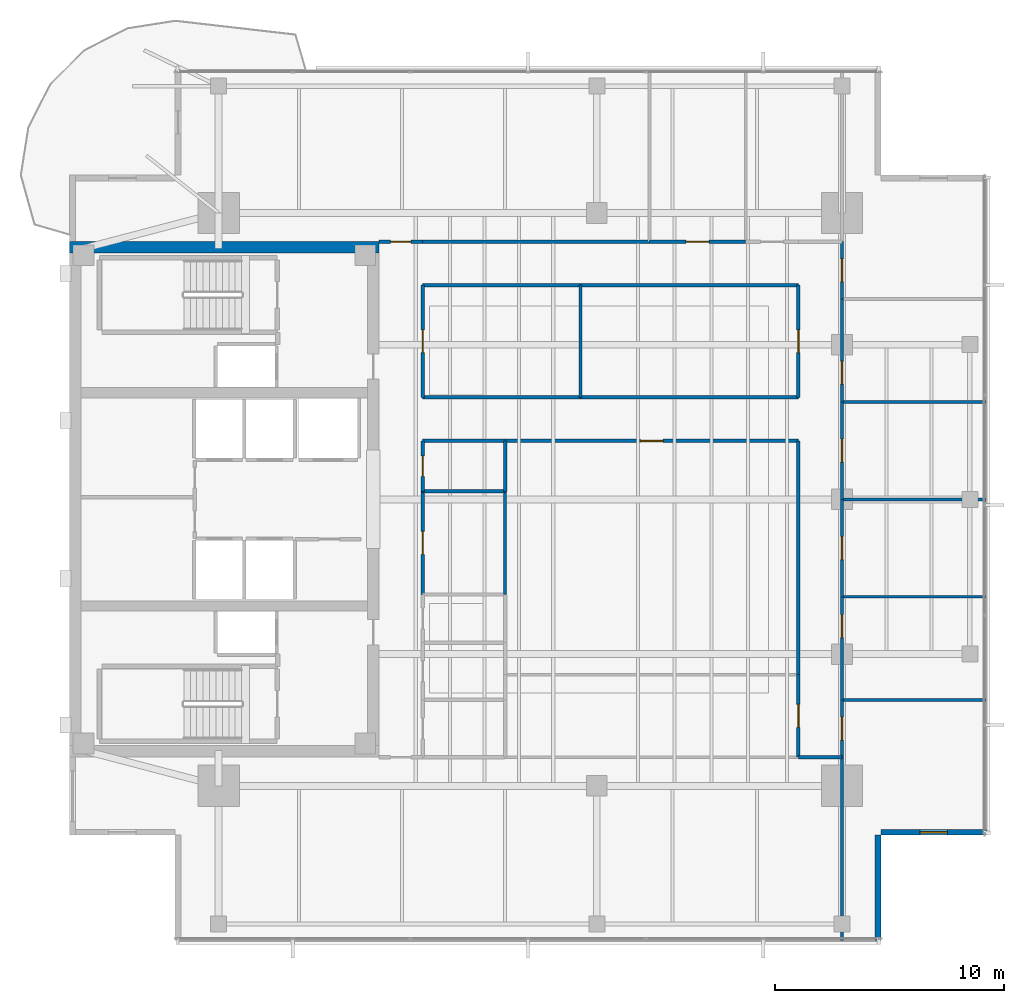
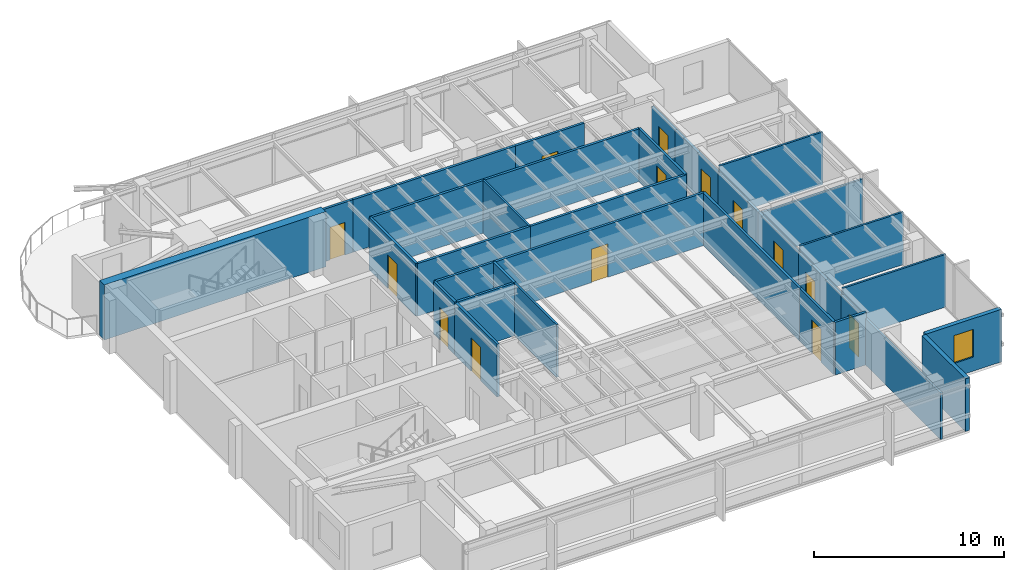
# One storey, part 9 of 14: 34 walls, 14 doors, 1 window, 15 openings.
"""IFC4 building model written with IfcOpenShell, lengths in metres."""

from ifc_helpers import new_model, si_unit, direction, frame, frame_2d, origin, place, context, subcontext, project, spatial, rectangle, extrude, material, layer, layer_set, type_object, element, fill, save


model = new_model("IFC4")

# Units and contexts
model_context = context("Model", 3, precision=1e-05, world=origin(), true_north=direction((0.0, 1.0)))
body_context = subcontext(model_context, "Body", "Model", "MODEL_VIEW")
ifc_project = project(units=[si_unit("LENGTHUNIT", "METRE"), si_unit("AREAUNIT", "SQUARE_METRE"), si_unit("VOLUMEUNIT", "CUBIC_METRE"), si_unit("PLANEANGLEUNIT", "RADIAN"), si_unit("MASSUNIT", "GRAM", prefix="KILO")], contexts=[model_context])

# Site, building, storey
site_placement = place(None, origin())
site = spatial("IfcSite", under=ifc_project, at=site_placement, CompositionType="ELEMENT")
building_placement = place(site_placement, origin())
building = spatial("IfcBuilding", under=site, at=building_placement, Name="Kinhvarn Gate Tower", CompositionType="ELEMENT")
storey_placement = place(building_placement, frame((0.0, 0.0, 284.75)))
storey = spatial("IfcBuildingStorey", under=building, at=storey_placement, Name="L76", CompositionType="ELEMENT", Elevation=284.75)

# Walls
ifc_material_1 = material(Name="Concrete C50/60", Category="concrete")
ifc_layer_1 = layer(ifc_material_1, 0.5)
ifc_layer_set_1 = layer_set([ifc_layer_1], Name="Concrete C50/60")
wall_type_1 = type_object("IfcWallType", Name="WL-CORE-500", PredefinedType="SHEAR", material=ifc_layer_set_1)
wall_1_placement = place(storey_placement, frame((4.5, 36.25, 0.0), z_axis=(0.0, 0.0, 1.0), x_axis=(1.0, 0.0, 0.0)))
element("IfcWall", 1, at=wall_1_placement, inside=storey, type_object=wall_type_1, Name="Core North Shear Wall L76 500 mm", PredefinedType="SHEAR", context=body_context, shape_type="SweptSolid", body=[
    extrude(rectangle(XDim=13.5, YDim=0.5, at=frame_2d((6.75, 0.0))), origin(), (0.0, 0.0, 1.0), 3.550048828125),
])
ifc_material_2 = material(Name="Fired architectural terracotta", Category="masonry")
ifc_layer_2 = layer(ifc_material_2, 0.25)
ifc_layer_set_2 = layer_set([ifc_layer_2], Name="Fired architectural terracotta")
wall_type_2 = type_object("IfcWallType", Name="WL-EXT-250", PredefinedType="SOLIDWALL", material=ifc_layer_set_2)
wall_2_placement = place(storey_placement, frame((39.77490234375, 6.0, 0.0), z_axis=(0.0, 0.0, 1.0), x_axis=(0.0, 1.0, 0.0)))
element("IfcWall", 2, at=wall_2_placement, inside=storey, type_object=wall_type_2, Name="Exterior Solidwall Wall EW-250 (L76 SE-Notch-1)", PredefinedType="SOLIDWALL", context=body_context, shape_type="SweptSolid", body=[
    extrude(rectangle(XDim=4.60009765625, YDim=0.25, at=frame_2d((2.300048828125, 0.0))), origin(), (0.0, 0.0, 1.0), 3.389892578125),
])

# Wall, opening, window
wall_3_placement = place(storey_placement, frame((39.89990234375, 10.72509765625, 0.0), z_axis=(0.0, 0.0, 1.0), x_axis=(1.0, 0.0, 0.0)))
wall_3 = element("IfcWall", 3, at=wall_3_placement, inside=storey, type_object=wall_type_2, Name="Exterior Solidwall Wall EW-250 (L76 SE-Notch-2)", PredefinedType="SOLIDWALL", context=body_context, shape_type="SweptSolid", body=[
    extrude(rectangle(XDim=4.60009765625, YDim=0.25, at=frame_2d((2.300048828125, 0.0))), origin(), (0.0, 0.0, 1.0), 3.389892578125),
])
opening_1_placement = place(wall_3_placement, frame((1.699951171875, 0.0, 0.89990234375)))
opening_1 = element("IfcOpeningElement", 4, at=opening_1_placement, cuts=wall_3, Name="Opening WN-02", PredefinedType="OPENING", context=body_context, shape_type="SweptSolid", body=[
    extrude(rectangle(XDim=1.199951171875, YDim=1.800048828125, at=frame_2d((0.60009765625, 0.89990234375))), frame((0.0, 0.135009765625, 0.0), z_axis=(0.0, -1.0, 0.0), x_axis=(1.0, 0.0, 0.0)), (0.0, 0.0, 1.0), 0.27001953125),
])
ifc_material_3 = material(Name="Clear low-e double glazing", Category="glass")
window_type = type_object("IfcWindowType", Name="WIN-NTC-1200", PartitioningType="SINGLE_PANEL", PredefinedType="WINDOW", material=ifc_material_3)
window_placement = place(opening_1_placement, origin())
window = element("IfcWindow", 5, at=window_placement, inside=storey, type_object=window_type, Name="Recessed Corner Notch Punched Window 1200x1800 mm (L76)", OverallHeight=1.800048828125, OverallWidth=1.199951171875, PartitioningType="SINGLE_PANEL", PredefinedType="WINDOW", context=body_context, shape_type="SweptSolid", body=[
    extrude(rectangle(XDim=1.199951171875, YDim=1.800048828125, at=frame_2d((0.60009765625, 0.89990234375))), frame((0.0, 0.030029296875, 0.0), z_axis=(0.0, -1.0, 0.0), x_axis=(1.0, 0.0, 0.0)), (0.0, 0.0, 1.0), 0.06005859375),
])
fill(opening_1, window)

# Walls
ifc_material_4 = material(Name="Gypsum acoustic partition board")
ifc_layer_3 = layer(ifc_material_4, 0.14990234375)
ifc_layer_set_3 = layer_set([ifc_layer_3], Name="Gypsum acoustic partition board")
wall_type_3 = type_object("IfcWallType", Name="WL-PLM-150", PredefinedType="PLUMBINGWALL", material=ifc_layer_set_3)
wall_4_placement = place(storey_placement, frame((19.89990234375, 25.60009765625, 0.0), z_axis=(0.0, 0.0, 1.0), x_axis=(1.0, 0.0, 0.0)))
element("IfcWall", 6, at=wall_4_placement, inside=storey, type_object=wall_type_3, Name="Interior Partition PLW-150 (L76)", PredefinedType="PLUMBINGWALL", context=body_context, shape_type="SweptSolid", body=[
    extrude(rectangle(XDim=3.60009765625, YDim=0.14990234375, at=frame_2d((1.800048828125, 0.0))), origin(), (0.0, 0.0, 1.0), 3.389892578125),
])
wall_5_placement = place(storey_placement, frame((23.5, 25.60009765625, 0.0), z_axis=(0.0, 0.0, 1.0), x_axis=(0.0, 1.0, 0.0)))
element("IfcWall", 7, at=wall_5_placement, inside=storey, type_object=wall_type_3, Name="Interior Partition PLW-150 (L76)", PredefinedType="PLUMBINGWALL", context=body_context, shape_type="SweptSolid", body=[
    extrude(rectangle(XDim=2.199951171875, YDim=0.14990234375, at=frame_2d((1.10009765625, 0.0))), origin(), (0.0, 0.0, 1.0), 3.389892578125),
])

# Wall, opening, door
ifc_layer_4 = layer(ifc_material_4, 0.14990234375)
ifc_layer_set_4 = layer_set([ifc_layer_4], Name="Gypsum acoustic partition board")
wall_type_4 = type_object("IfcWallType", Name="WL-PLM-150F", PredefinedType="PLUMBINGWALL", material=ifc_layer_set_4)
wall_6_placement = place(storey_placement, frame((19.89990234375, 25.60009765625, 0.0), z_axis=(0.0, 0.0, 1.0), x_axis=(0.0, 1.0, 0.0)))
wall_6 = element("IfcWall", 8, at=wall_6_placement, inside=storey, type_object=wall_type_4, Name="Interior Partition PLW-150F (L76)", PredefinedType="PLUMBINGWALL", context=body_context, shape_type="SweptSolid", body=[
    extrude(rectangle(XDim=2.199951171875, YDim=0.14990234375, at=frame_2d((1.10009765625, 0.0))), origin(), (0.0, 0.0, 1.0), 3.389892578125),
])
opening_2_placement = place(wall_6_placement, frame((0.64990234375, 0.0, 0.0)))
opening_2 = element("IfcOpeningElement", 9, at=opening_2_placement, cuts=wall_6, Name="Opening FD-04", PredefinedType="OPENING", context=body_context, shape_type="SweptSolid", body=[
    extrude(rectangle(XDim=0.89990234375, YDim=2.10009765625, at=frame_2d((0.449951171875, 1.050048828125))), frame((0.0, 0.0849609375, 0.0), z_axis=(0.0, -1.0, 0.0), x_axis=(1.0, 0.0, 0.0)), (0.0, 0.0, 1.0), 0.169921875),
])
ifc_material_5 = material(Name="Anodised aluminium AW-6063", Category="aluminium")
door_type_1 = type_object("IfcDoorType", Name="DR-FD-900", OperationType="NOTDEFINED", PredefinedType="DOOR", material=ifc_material_5)
door_1_placement = place(opening_2_placement, origin())
door_1 = element("IfcDoor", 10, at=door_1_placement, inside=storey, type_object=door_type_1, Name="Rated Riser & Service Closet Fire Door 900x2100 mm (L76)", OperationType="SINGLE_SWING_LEFT", OverallHeight=2.10009765625, OverallWidth=0.89990234375, PredefinedType="DOOR", context=body_context, shape_type="SweptSolid", body=[
    extrude(rectangle(XDim=0.89990234375, YDim=2.10009765625, at=frame_2d((0.449951171875, 1.050048828125))), frame((0.0, 0.02490234375, 0.0), z_axis=(0.0, -1.0, 0.0), x_axis=(1.0, 0.0, 0.0)), (0.0, 0.0, 1.0), 0.050048828125),
])
fill(opening_2, door_1)

# Walls
wall_7_placement = place(storey_placement, frame((19.89990234375, 27.800048828125, 0.0), z_axis=(0.0, 0.0, 1.0), x_axis=(1.0, 0.0, 0.0)))
element("IfcWall", 11, at=wall_7_placement, inside=storey, type_object=wall_type_4, Name="Interior Partition PLW-150F (L76)", PredefinedType="PLUMBINGWALL", context=body_context, shape_type="SweptSolid", body=[
    extrude(rectangle(XDim=3.60009765625, YDim=0.14990234375, at=frame_2d((1.800048828125, 0.0))), origin(), (0.0, 0.0, 1.0), 3.389892578125),
])
ifc_layer_5 = layer(ifc_material_4, 0.1201171875)
ifc_layer_set_5 = layer_set([ifc_layer_5], Name="Gypsum acoustic partition board")
wall_type_5 = type_object("IfcWallType", Name="WL-PRT-120", PredefinedType="PARTITIONING", material=ifc_layer_set_5)
wall_8_placement = place(storey_placement, frame((26.7900390625, 29.699951171875, 0.0), z_axis=(0.0, 0.0, 1.0), x_axis=(0.0, 1.0, 0.0)))
element("IfcWall", 12, at=wall_8_placement, inside=storey, type_object=wall_type_5, Name="Interior Partition PW-120 (L76)", PredefinedType="PARTITIONING", context=body_context, shape_type="SweptSolid", body=[
    extrude(rectangle(XDim=4.900146484375, YDim=0.1201171875, at=frame_2d((2.4501953125, 0.0))), origin(), (0.0, 0.0, 1.0), 3.389892578125),
])
wall_9_placement = place(storey_placement, frame((23.5, 21.10009765625, 0.0), z_axis=(0.0, 0.0, 1.0), x_axis=(0.0, 1.0, 0.0)))
element("IfcWall", 13, at=wall_9_placement, inside=storey, type_object=wall_type_5, Name="Interior Partition PW-120 (L76)", PredefinedType="PARTITIONING", context=body_context, shape_type="SweptSolid", body=[
    extrude(rectangle(XDim=4.5, YDim=0.1201171875, at=frame_2d((2.25, 0.0))), origin(), (0.0, 0.0, 1.0), 3.389892578125),
])
wall_10_placement = place(storey_placement, frame((38.199951171875, 6.010009765625, 0.0), z_axis=(0.0, 0.0, 1.0), x_axis=(0.0, 1.0, 0.0)))
element("IfcWall", 14, at=wall_10_placement, inside=storey, type_object=wall_type_5, Name="Interior Partition PW-120 (L76)", PredefinedType="PARTITIONING", context=body_context, shape_type="SweptSolid", body=[
    extrude(rectangle(XDim=7.989990234375, YDim=0.1201171875, at=frame_2d((3.9951171875, 0.0))), origin(), (0.0, 0.0, 1.0), 2.989990234375),
])
for number, where, z_axis, x_axis, name in (
    (15, (38.199951171875, 16.5, 0.0), (0.0, 0.0, 1.0), (1.0, 0.0, 0.0), "Interior Partition PW-120 (L76)"),
    (16, (38.199951171875, 21.0, 0.0), (0.0, 0.0, 1.0), (1.0, 0.0, 0.0), "Interior Partition PW-120 (L76)"),
):
    element("IfcWall", number, at=place(storey_placement, frame(where, z_axis=z_axis, x_axis=x_axis)), inside=storey, type_object=wall_type_5, Name=name, PredefinedType="PARTITIONING", context=body_context, shape_type="SweptSolid", body=[
        extrude(rectangle(XDim=6.2900390625, YDim=0.1201171875, at=frame_2d((3.14501953125, 0.0))), origin(), (0.0, 0.0, 1.0), 3.389892578125),
    ])
wall_11_placement = place(storey_placement, frame((38.199951171875, 25.25, 0.0), z_axis=(0.0, 0.0, 1.0), x_axis=(1.0, 0.0, 0.0)))
element("IfcWall", 17, at=wall_11_placement, inside=storey, type_object=wall_type_5, Name="Interior Partition PW-120 (L76)", PredefinedType="PARTITIONING", context=body_context, shape_type="SweptSolid", body=[
    extrude(rectangle(XDim=6.2900390625, YDim=0.1201171875, at=frame_2d((3.14501953125, 0.0))), origin(), (0.0, 0.0, 1.0), 2.93994140625),
])
wall_12_placement = place(storey_placement, frame((38.199951171875, 29.5, 0.0), z_axis=(0.0, 0.0, 1.0), x_axis=(1.0, 0.0, 0.0)))
element("IfcWall", 18, at=wall_12_placement, inside=storey, type_object=wall_type_5, Name="Interior Partition PW-120 (L76)", PredefinedType="PARTITIONING", context=body_context, shape_type="SweptSolid", body=[
    extrude(rectangle(XDim=6.2900390625, YDim=0.1201171875, at=frame_2d((3.14501953125, 0.0))), origin(), (0.0, 0.0, 1.0), 3.389892578125),
])

# Wall, opening, door
ifc_layer_6 = layer(ifc_material_4, 0.14990234375)
ifc_layer_set_6 = layer_set([ifc_layer_6], Name="Gypsum acoustic partition board")
wall_type_6 = type_object("IfcWallType", Name="WL-PRT-150F", PredefinedType="PARTITIONING", material=ifc_layer_set_6)
wall_13_placement = place(storey_placement, frame((19.89990234375, 29.699951171875, 0.0), z_axis=(0.0, 0.0, 1.0), x_axis=(0.0, 1.0, 0.0)))
wall_13 = element("IfcWall", 19, at=wall_13_placement, inside=storey, type_object=wall_type_6, Name="Interior Partition PW-150F (L76)", PredefinedType="PARTITIONING", context=body_context, shape_type="SweptSolid", body=[
    extrude(rectangle(XDim=4.900146484375, YDim=0.14990234375, at=frame_2d((2.4501953125, 0.0))), origin(), (0.0, 0.0, 1.0), 3.389892578125),
])
opening_3_placement = place(wall_13_placement, frame((1.949951171875, 0.0, 0.0)))
opening_3 = element("IfcOpeningElement", 20, at=opening_3_placement, cuts=wall_13, Name="Opening ID-02", PredefinedType="OPENING", context=body_context, shape_type="SweptSolid", body=[
    extrude(rectangle(XDim=1.0, YDim=2.14990234375, at=frame_2d((0.5, 1.074951171875))), frame((0.0, 0.0849609375, 0.0), z_axis=(0.0, -1.0, 0.0), x_axis=(1.0, 0.0, 0.0)), (0.0, 0.0, 1.0), 0.169921875),
])
door_type_2 = type_object("IfcDoorType", Name="DR-INT-1000", OperationType="NOTDEFINED", PredefinedType="DOOR", material=ifc_material_5)
door_2_placement = place(opening_3_placement, origin())
door_2 = element("IfcDoor", 21, at=door_2_placement, inside=storey, type_object=door_type_2, Name="Standard Office & Meeting Room Door 1000x2150 mm (L76)", OperationType="SINGLE_SWING_LEFT", OverallHeight=2.14990234375, OverallWidth=1.0, PredefinedType="DOOR", context=body_context, shape_type="SweptSolid", body=[
    extrude(rectangle(XDim=1.0, YDim=2.14990234375, at=frame_2d((0.5, 1.074951171875))), frame((0.0, 0.02490234375, 0.0), z_axis=(0.0, -1.0, 0.0), x_axis=(1.0, 0.0, 0.0)), (0.0, 0.0, 1.0), 0.050048828125),
])
fill(opening_3, door_2)

wall_14_placement = place(storey_placement, frame((19.89990234375, 21.10009765625, 0.0), z_axis=(0.0, 0.0, 1.0), x_axis=(0.0, 1.0, 0.0)))
wall_14 = element("IfcWall", 22, at=wall_14_placement, inside=storey, type_object=wall_type_6, Name="Interior Partition PW-150F (L76)", PredefinedType="PARTITIONING", context=body_context, shape_type="SweptSolid", body=[
    extrude(rectangle(XDim=4.5, YDim=0.14990234375, at=frame_2d((2.25, 0.0))), origin(), (0.0, 0.0, 1.0), 3.389892578125),
])
opening_4_placement = place(wall_14_placement, frame((1.75, 0.0, 0.0)))
opening_4 = element("IfcOpeningElement", 23, at=opening_4_placement, cuts=wall_14, Name="Opening ID-02", PredefinedType="OPENING", context=body_context, shape_type="SweptSolid", body=[
    extrude(rectangle(XDim=1.0, YDim=2.14990234375, at=frame_2d((0.5, 1.074951171875))), frame((0.0, 0.0849609375, 0.0), z_axis=(0.0, -1.0, 0.0), x_axis=(1.0, 0.0, 0.0)), (0.0, 0.0, 1.0), 0.169921875),
])
door_3_placement = place(opening_4_placement, origin())
door_3 = element("IfcDoor", 24, at=door_3_placement, inside=storey, type_object=door_type_2, Name="Standard Office & Meeting Room Door 1000x2150 mm (L76)", OperationType="SINGLE_SWING_RIGHT", OverallHeight=2.14990234375, OverallWidth=1.0, PredefinedType="DOOR", context=body_context, shape_type="SweptSolid", body=[
    extrude(rectangle(XDim=1.0, YDim=2.14990234375, at=frame_2d((0.5, 1.074951171875))), frame((0.0, 0.02490234375, 0.0), z_axis=(0.0, -1.0, 0.0), x_axis=(1.0, 0.0, 0.0)), (0.0, 0.0, 1.0), 0.050048828125),
])
fill(opening_4, door_3)

wall_15_placement = place(storey_placement, frame((18.0, 36.5, 0.0), z_axis=(0.0, 0.0, 1.0), x_axis=(1.0, 0.0, 0.0)))
wall_15 = element("IfcWall", 25, at=wall_15_placement, inside=storey, type_object=wall_type_6, Name="Interior Partition PW-150F (L76)", PredefinedType="PARTITIONING", context=body_context, shape_type="SweptSolid", body=[
    extrude(rectangle(XDim=1.89990234375, YDim=0.14990234375, at=frame_2d((0.949951171875, 0.0))), origin(), (0.0, 0.0, 1.0), 3.389892578125),
])
opening_5_placement = place(wall_15_placement, frame((0.5, 0.0, 0.0)))
opening_5 = element("IfcOpeningElement", 26, at=opening_5_placement, cuts=wall_15, Name="Opening ID-03", PredefinedType="OPENING", context=body_context, shape_type="SweptSolid", body=[
    extrude(rectangle(XDim=0.89990234375, YDim=2.10009765625, at=frame_2d((0.449951171875, 1.050048828125))), frame((0.0, 0.0849609375, 0.0), z_axis=(0.0, -1.0, 0.0), x_axis=(1.0, 0.0, 0.0)), (0.0, 0.0, 1.0), 0.169921875),
])
door_type_3 = type_object("IfcDoorType", Name="DR-INT-900", OperationType="NOTDEFINED", PredefinedType="DOOR", material=ifc_material_5)
door_4_placement = place(opening_5_placement, origin())
door_4 = element("IfcDoor", 27, at=door_4_placement, inside=storey, type_object=door_type_3, Name="Cellular Office & Restroom Door 900x2100 mm (L76)", OperationType="SINGLE_SWING_RIGHT", OverallHeight=2.10009765625, OverallWidth=0.89990234375, PredefinedType="DOOR", context=body_context, shape_type="SweptSolid", body=[
    extrude(rectangle(XDim=0.89990234375, YDim=2.10009765625, at=frame_2d((0.449951171875, 1.050048828125))), frame((0.0, 0.02490234375, 0.0), z_axis=(0.0, -1.0, 0.0), x_axis=(1.0, 0.0, 0.0)), (0.0, 0.0, 1.0), 0.050048828125),
])
fill(opening_5, door_4)

# Walls
wall_16_placement = place(storey_placement, frame((19.89990234375, 29.699951171875, 0.0), z_axis=(0.0, 0.0, 1.0), x_axis=(1.0, 0.0, 0.0)))
element("IfcWall", 28, at=wall_16_placement, inside=storey, type_object=wall_type_6, Name="Interior Partition PW-150F (L76)", PredefinedType="PARTITIONING", context=body_context, shape_type="SweptSolid", body=[
    extrude(rectangle(XDim=6.89013671875, YDim=0.14990234375, at=frame_2d((3.445068359375, 0.0))), origin(), (0.0, 0.0, 1.0), 3.389892578125),
])
wall_17_placement = place(storey_placement, frame((26.7900390625, 29.699951171875, 0.0), z_axis=(0.0, 0.0, 1.0), x_axis=(1.0, 0.0, 0.0)))
element("IfcWall", 29, at=wall_17_placement, inside=storey, type_object=wall_type_6, Name="Interior Partition PW-150F (L76)", PredefinedType="PARTITIONING", context=body_context, shape_type="SweptSolid", body=[
    extrude(rectangle(XDim=9.510009765625, YDim=0.14990234375, at=frame_2d((4.7548828125, 0.0))), origin(), (0.0, 0.0, 1.0), 3.389892578125),
])

# Wall, opening, door
wall_18_placement = place(storey_placement, frame((23.5, 27.800048828125, 0.0), z_axis=(0.0, 0.0, 1.0), x_axis=(1.0, 0.0, 0.0)))
wall_18 = element("IfcWall", 30, at=wall_18_placement, inside=storey, type_object=wall_type_6, Name="Interior Partition PW-150F (L76)", PredefinedType="PARTITIONING", context=body_context, shape_type="SweptSolid", body=[
    extrude(rectangle(XDim=12.800048828125, YDim=0.14990234375, at=frame_2d((6.39990234375, 0.0))), origin(), (0.0, 0.0, 1.0), 3.389892578125),
])
opening_6_placement = place(wall_18_placement, frame((5.89990234375, 0.0, 0.0)))
opening_6 = element("IfcOpeningElement", 31, at=opening_6_placement, cuts=wall_18, Name="Opening ID-02", PredefinedType="OPENING", context=body_context, shape_type="SweptSolid", body=[
    extrude(rectangle(XDim=1.0, YDim=2.14990234375, at=frame_2d((0.5, 1.074951171875))), frame((0.0, 0.0849609375, 0.0), z_axis=(0.0, -1.0, 0.0), x_axis=(1.0, 0.0, 0.0)), (0.0, 0.0, 1.0), 0.169921875),
])
door_5_placement = place(opening_6_placement, origin())
door_5 = element("IfcDoor", 32, at=door_5_placement, inside=storey, type_object=door_type_2, Name="Standard Office & Meeting Room Door 1000x2150 mm (L76)", OperationType="SINGLE_SWING_LEFT", OverallHeight=2.14990234375, OverallWidth=1.0, PredefinedType="DOOR", context=body_context, shape_type="SweptSolid", body=[
    extrude(rectangle(XDim=1.0, YDim=2.14990234375, at=frame_2d((0.5, 1.074951171875))), frame((0.0, 0.02490234375, 0.0), z_axis=(0.0, -1.0, 0.0), x_axis=(1.0, 0.0, 0.0)), (0.0, 0.0, 1.0), 0.050048828125),
])
fill(opening_6, door_5)

wall_19_placement = place(storey_placement, frame((36.300048828125, 29.699951171875, 0.0), z_axis=(0.0, 0.0, 1.0), x_axis=(0.0, 1.0, 0.0)))
wall_19 = element("IfcWall", 33, at=wall_19_placement, inside=storey, type_object=wall_type_6, Name="Interior Partition PW-150F (L76)", PredefinedType="PARTITIONING", context=body_context, shape_type="SweptSolid", body=[
    extrude(rectangle(XDim=4.900146484375, YDim=0.14990234375, at=frame_2d((2.4501953125, 0.0))), origin(), (0.0, 0.0, 1.0), 3.389892578125),
])
opening_7_placement = place(wall_19_placement, frame((1.949951171875, 0.0, 0.0)))
opening_7 = element("IfcOpeningElement", 34, at=opening_7_placement, cuts=wall_19, Name="Opening ID-02", PredefinedType="OPENING", context=body_context, shape_type="SweptSolid", body=[
    extrude(rectangle(XDim=1.0, YDim=2.14990234375, at=frame_2d((0.5, 1.074951171875))), frame((0.0, 0.0849609375, 0.0), z_axis=(0.0, -1.0, 0.0), x_axis=(1.0, 0.0, 0.0)), (0.0, 0.0, 1.0), 0.169921875),
])
door_6_placement = place(opening_7_placement, origin())
door_6 = element("IfcDoor", 35, at=door_6_placement, inside=storey, type_object=door_type_2, Name="Standard Office & Meeting Room Door 1000x2150 mm (L76)", OperationType="SINGLE_SWING_RIGHT", OverallHeight=2.14990234375, OverallWidth=1.0, PredefinedType="DOOR", context=body_context, shape_type="SweptSolid", body=[
    extrude(rectangle(XDim=1.0, YDim=2.14990234375, at=frame_2d((0.5, 1.074951171875))), frame((0.0, 0.02490234375, 0.0), z_axis=(0.0, -1.0, 0.0), x_axis=(1.0, 0.0, 0.0)), (0.0, 0.0, 1.0), 0.050048828125),
])
fill(opening_7, door_6)

wall_20_placement = place(storey_placement, frame((36.300048828125, 14.0, 0.0), z_axis=(0.0, 0.0, 1.0), x_axis=(0.0, 1.0, 0.0)))
wall_20 = element("IfcWall", 36, at=wall_20_placement, inside=storey, type_object=wall_type_6, Name="Interior Partition PW-150F (L76)", PredefinedType="PARTITIONING", context=body_context, shape_type="SweptSolid", body=[
    extrude(rectangle(XDim=3.60009765625, YDim=0.14990234375, at=frame_2d((1.800048828125, 0.0))), origin(), (0.0, 0.0, 1.0), 3.389892578125),
])
opening_8_placement = place(wall_20_placement, frame((1.300048828125, 0.0, 0.0)))
opening_8 = element("IfcOpeningElement", 37, at=opening_8_placement, cuts=wall_20, Name="Opening ID-02", PredefinedType="OPENING", context=body_context, shape_type="SweptSolid", body=[
    extrude(rectangle(XDim=1.0, YDim=2.14990234375, at=frame_2d((0.5, 1.074951171875))), frame((0.0, 0.0849609375, 0.0), z_axis=(0.0, -1.0, 0.0), x_axis=(1.0, 0.0, 0.0)), (0.0, 0.0, 1.0), 0.169921875),
])
door_7_placement = place(opening_8_placement, origin())
door_7 = element("IfcDoor", 38, at=door_7_placement, inside=storey, type_object=door_type_2, Name="Standard Office & Meeting Room Door 1000x2150 mm (L76)", OperationType="SINGLE_SWING_LEFT", OverallHeight=2.14990234375, OverallWidth=1.0, PredefinedType="DOOR", context=body_context, shape_type="SweptSolid", body=[
    extrude(rectangle(XDim=1.0, YDim=2.14990234375, at=frame_2d((0.5, 1.074951171875))), frame((0.0, 0.02490234375, 0.0), z_axis=(0.0, -1.0, 0.0), x_axis=(1.0, 0.0, 0.0)), (0.0, 0.0, 1.0), 0.050048828125),
])
fill(opening_8, door_7)

# Walls
wall_21_placement = place(storey_placement, frame((36.300048828125, 17.60009765625, 0.0), z_axis=(0.0, 0.0, 1.0), x_axis=(0.0, 1.0, 0.0)))
element("IfcWall", 39, at=wall_21_placement, inside=storey, type_object=wall_type_6, Name="Interior Partition PW-150F (L76)", PredefinedType="PARTITIONING", context=body_context, shape_type="SweptSolid", body=[
    extrude(rectangle(XDim=10.199951171875, YDim=0.14990234375, at=frame_2d((5.10009765625, 0.0))), origin(), (0.0, 0.0, 1.0), 3.389892578125),
])
wall_22_placement = place(storey_placement, frame((36.300048828125, 14.0, 0.0), z_axis=(0.0, 0.0, 1.0), x_axis=(1.0, 0.0, 0.0)))
element("IfcWall", 40, at=wall_22_placement, inside=storey, type_object=wall_type_6, Name="Interior Partition PW-150F (L76)", PredefinedType="PARTITIONING", context=body_context, shape_type="SweptSolid", body=[
    extrude(rectangle(XDim=1.89990234375, YDim=0.14990234375, at=frame_2d((0.949951171875, 0.0))), origin(), (0.0, 0.0, 1.0), 3.389892578125),
])

# Wall, opening, door
wall_23_placement = place(storey_placement, frame((38.199951171875, 14.0, 0.0), z_axis=(0.0, 0.0, 1.0), x_axis=(0.0, 1.0, 0.0)))
wall_23 = element("IfcWall", 41, at=wall_23_placement, inside=storey, type_object=wall_type_6, Name="Interior Partition PW-150F (L76)", PredefinedType="PARTITIONING", context=body_context, shape_type="SweptSolid", body=[
    extrude(rectangle(XDim=2.5, YDim=0.14990234375, at=frame_2d((1.25, 0.0))), origin(), (0.0, 0.0, 1.0), 2.989990234375),
])
opening_9_placement = place(wall_23_placement, frame((0.75, 0.0, 0.0)))
opening_9 = element("IfcOpeningElement", 42, at=opening_9_placement, cuts=wall_23, Name="Opening ID-02", PredefinedType="OPENING", context=body_context, shape_type="SweptSolid", body=[
    extrude(rectangle(XDim=1.0, YDim=2.14990234375, at=frame_2d((0.5, 1.074951171875))), frame((0.0, 0.0849609375, 0.0), z_axis=(0.0, -1.0, 0.0), x_axis=(1.0, 0.0, 0.0)), (0.0, 0.0, 1.0), 0.169921875),
])
door_8_placement = place(opening_9_placement, origin())
door_8 = element("IfcDoor", 43, at=door_8_placement, inside=storey, type_object=door_type_2, Name="Standard Office & Meeting Room Door 1000x2150 mm (L76)", OperationType="SINGLE_SWING_RIGHT", OverallHeight=2.14990234375, OverallWidth=1.0, PredefinedType="DOOR", context=body_context, shape_type="SweptSolid", body=[
    extrude(rectangle(XDim=1.0, YDim=2.14990234375, at=frame_2d((0.5, 1.074951171875))), frame((0.0, 0.02490234375, 0.0), z_axis=(0.0, -1.0, 0.0), x_axis=(1.0, 0.0, 0.0)), (0.0, 0.0, 1.0), 0.050048828125),
])
fill(opening_9, door_8)

wall_24_placement = place(storey_placement, frame((38.199951171875, 16.5, 0.0), z_axis=(0.0, 0.0, 1.0), x_axis=(0.0, 1.0, 0.0)))
wall_24 = element("IfcWall", 44, at=wall_24_placement, inside=storey, type_object=wall_type_6, Name="Interior Partition PW-150F (L76)", PredefinedType="PARTITIONING", context=body_context, shape_type="SweptSolid", body=[
    extrude(rectangle(XDim=4.5, YDim=0.14990234375, at=frame_2d((2.25, 0.0))), origin(), (0.0, 0.0, 1.0), 2.989990234375),
])
opening_10_placement = place(wall_24_placement, frame((2.721923828125, 0.0, 0.0)))
opening_10 = element("IfcOpeningElement", 45, at=opening_10_placement, cuts=wall_24, Name="Opening ID-02", PredefinedType="OPENING", context=body_context, shape_type="SweptSolid", body=[
    extrude(rectangle(XDim=1.0, YDim=2.14990234375, at=frame_2d((0.5, 1.074951171875))), frame((0.0, 0.0849609375, 0.0), z_axis=(0.0, -1.0, 0.0), x_axis=(1.0, 0.0, 0.0)), (0.0, 0.0, 1.0), 0.169921875),
])
door_9_placement = place(opening_10_placement, origin())
door_9 = element("IfcDoor", 46, at=door_9_placement, inside=storey, type_object=door_type_2, Name="Standard Office & Meeting Room Door 1000x2150 mm (L76)", OperationType="SINGLE_SWING_LEFT", OverallHeight=2.14990234375, OverallWidth=1.0, PredefinedType="DOOR", context=body_context, shape_type="SweptSolid", body=[
    extrude(rectangle(XDim=1.0, YDim=2.14990234375, at=frame_2d((0.5, 1.074951171875))), frame((0.0, 0.02490234375, 0.0), z_axis=(0.0, -1.0, 0.0), x_axis=(1.0, 0.0, 0.0)), (0.0, 0.0, 1.0), 0.050048828125),
])
fill(opening_10, door_9)

wall_25_placement = place(storey_placement, frame((38.199951171875, 21.0, 0.0), z_axis=(0.0, 0.0, 1.0), x_axis=(0.0, 1.0, 0.0)))
wall_25 = element("IfcWall", 47, at=wall_25_placement, inside=storey, type_object=wall_type_6, Name="Interior Partition PW-150F (L76)", PredefinedType="PARTITIONING", context=body_context, shape_type="SweptSolid", body=[
    extrude(rectangle(XDim=4.25, YDim=0.14990234375, at=frame_2d((2.125, 0.0))), origin(), (0.0, 0.0, 1.0), 2.989990234375),
])
opening_11_placement = place(wall_25_placement, frame((1.625, 0.0, 0.0)))
opening_11 = element("IfcOpeningElement", 48, at=opening_11_placement, cuts=wall_25, Name="Opening ID-02", PredefinedType="OPENING", context=body_context, shape_type="SweptSolid", body=[
    extrude(rectangle(XDim=1.0, YDim=2.14990234375, at=frame_2d((0.5, 1.074951171875))), frame((0.0, 0.0849609375, 0.0), z_axis=(0.0, -1.0, 0.0), x_axis=(1.0, 0.0, 0.0)), (0.0, 0.0, 1.0), 0.169921875),
])
door_10_placement = place(opening_11_placement, origin())
door_10 = element("IfcDoor", 49, at=door_10_placement, inside=storey, type_object=door_type_2, Name="Standard Office & Meeting Room Door 1000x2150 mm (L76)", OperationType="SINGLE_SWING_RIGHT", OverallHeight=2.14990234375, OverallWidth=1.0, PredefinedType="DOOR", context=body_context, shape_type="SweptSolid", body=[
    extrude(rectangle(XDim=1.0, YDim=2.14990234375, at=frame_2d((0.5, 1.074951171875))), frame((0.0, 0.02490234375, 0.0), z_axis=(0.0, -1.0, 0.0), x_axis=(1.0, 0.0, 0.0)), (0.0, 0.0, 1.0), 0.050048828125),
])
fill(opening_11, door_10)

wall_26_placement = place(storey_placement, frame((38.199951171875, 25.25, 0.0), z_axis=(0.0, 0.0, 1.0), x_axis=(0.0, 1.0, 0.0)))
wall_26 = element("IfcWall", 50, at=wall_26_placement, inside=storey, type_object=wall_type_6, Name="Interior Partition PW-150F (L76)", PredefinedType="PARTITIONING", context=body_context, shape_type="SweptSolid", body=[
    extrude(rectangle(XDim=4.25, YDim=0.14990234375, at=frame_2d((2.125, 0.0))), origin(), (0.0, 0.0, 1.0), 2.989990234375),
])
opening_12_placement = place(wall_26_placement, frame((1.625, 0.0, 0.0)))
opening_12 = element("IfcOpeningElement", 51, at=opening_12_placement, cuts=wall_26, Name="Opening ID-02", PredefinedType="OPENING", context=body_context, shape_type="SweptSolid", body=[
    extrude(rectangle(XDim=1.0, YDim=2.14990234375, at=frame_2d((0.5, 1.074951171875))), frame((0.0, 0.0849609375, 0.0), z_axis=(0.0, -1.0, 0.0), x_axis=(1.0, 0.0, 0.0)), (0.0, 0.0, 1.0), 0.169921875),
])
door_11_placement = place(opening_12_placement, origin())
door_11 = element("IfcDoor", 52, at=door_11_placement, inside=storey, type_object=door_type_2, Name="Standard Office & Meeting Room Door 1000x2150 mm (L76)", OperationType="SINGLE_SWING_LEFT", OverallHeight=2.14990234375, OverallWidth=1.0, PredefinedType="DOOR", context=body_context, shape_type="SweptSolid", body=[
    extrude(rectangle(XDim=1.0, YDim=2.14990234375, at=frame_2d((0.5, 1.074951171875))), frame((0.0, 0.02490234375, 0.0), z_axis=(0.0, -1.0, 0.0), x_axis=(1.0, 0.0, 0.0)), (0.0, 0.0, 1.0), 0.050048828125),
])
fill(opening_12, door_11)

wall_27_placement = place(storey_placement, frame((38.199951171875, 29.5, 0.0), z_axis=(0.0, 0.0, 1.0), x_axis=(0.0, 1.0, 0.0)))
wall_27 = element("IfcWall", 53, at=wall_27_placement, inside=storey, type_object=wall_type_6, Name="Interior Partition PW-150F (L76)", PredefinedType="PARTITIONING", context=body_context, shape_type="SweptSolid", body=[
    extrude(rectangle(XDim=4.5, YDim=0.14990234375, at=frame_2d((2.25, 0.0))), origin(), (0.0, 0.0, 1.0), 2.989990234375),
])
opening_13_placement = place(wall_27_placement, frame((0.778076171875, 0.0, 0.0)))
opening_13 = element("IfcOpeningElement", 54, at=opening_13_placement, cuts=wall_27, Name="Opening ID-02", PredefinedType="OPENING", context=body_context, shape_type="SweptSolid", body=[
    extrude(rectangle(XDim=1.0, YDim=2.14990234375, at=frame_2d((0.5, 1.074951171875))), frame((0.0, 0.0849609375, 0.0), z_axis=(0.0, -1.0, 0.0), x_axis=(1.0, 0.0, 0.0)), (0.0, 0.0, 1.0), 0.169921875),
])
door_12_placement = place(opening_13_placement, origin())
door_12 = element("IfcDoor", 55, at=door_12_placement, inside=storey, type_object=door_type_2, Name="Standard Office & Meeting Room Door 1000x2150 mm (L76)", OperationType="SINGLE_SWING_RIGHT", OverallHeight=2.14990234375, OverallWidth=1.0, PredefinedType="DOOR", context=body_context, shape_type="SweptSolid", body=[
    extrude(rectangle(XDim=1.0, YDim=2.14990234375, at=frame_2d((0.5, 1.074951171875))), frame((0.0, 0.02490234375, 0.0), z_axis=(0.0, -1.0, 0.0), x_axis=(1.0, 0.0, 0.0)), (0.0, 0.0, 1.0), 0.050048828125),
])
fill(opening_13, door_12)

wall_28_placement = place(storey_placement, frame((38.199951171875, 34.0, 0.0), z_axis=(0.0, 0.0, 1.0), x_axis=(0.0, 1.0, 0.0)))
wall_28 = element("IfcWall", 56, at=wall_28_placement, inside=storey, type_object=wall_type_6, Name="Interior Partition PW-150F (L76)", PredefinedType="PARTITIONING", context=body_context, shape_type="SweptSolid", body=[
    extrude(rectangle(XDim=2.5, YDim=0.14990234375, at=frame_2d((1.25, 0.0))), origin(), (0.0, 0.0, 1.0), 2.989990234375),
])
opening_14_placement = place(wall_28_placement, frame((0.75, 0.0, 0.0)))
opening_14 = element("IfcOpeningElement", 57, at=opening_14_placement, cuts=wall_28, Name="Opening ID-02", PredefinedType="OPENING", context=body_context, shape_type="SweptSolid", body=[
    extrude(rectangle(XDim=1.0, YDim=2.14990234375, at=frame_2d((0.5, 1.074951171875))), frame((0.0, 0.0849609375, 0.0), z_axis=(0.0, -1.0, 0.0), x_axis=(1.0, 0.0, 0.0)), (0.0, 0.0, 1.0), 0.169921875),
])
door_13_placement = place(opening_14_placement, origin())
door_13 = element("IfcDoor", 58, at=door_13_placement, inside=storey, type_object=door_type_2, Name="Standard Office & Meeting Room Door 1000x2150 mm (L76)", OperationType="SINGLE_SWING_LEFT", OverallHeight=2.14990234375, OverallWidth=1.0, PredefinedType="DOOR", context=body_context, shape_type="SweptSolid", body=[
    extrude(rectangle(XDim=1.0, YDim=2.14990234375, at=frame_2d((0.5, 1.074951171875))), frame((0.0, 0.02490234375, 0.0), z_axis=(0.0, -1.0, 0.0), x_axis=(1.0, 0.0, 0.0)), (0.0, 0.0, 1.0), 0.050048828125),
])
fill(opening_14, door_13)

# Walls
wall_29_placement = place(storey_placement, frame((19.89990234375, 34.60009765625, 0.0), z_axis=(0.0, 0.0, 1.0), x_axis=(1.0, 0.0, 0.0)))
element("IfcWall", 59, at=wall_29_placement, inside=storey, type_object=wall_type_6, Name="Interior Partition PW-150F (L76)", PredefinedType="PARTITIONING", context=body_context, shape_type="SweptSolid", body=[
    extrude(rectangle(XDim=6.89013671875, YDim=0.14990234375, at=frame_2d((3.445068359375, 0.0))), origin(), (0.0, 0.0, 1.0), 3.389892578125),
])
wall_30_placement = place(storey_placement, frame((26.7900390625, 34.60009765625, 0.0), z_axis=(0.0, 0.0, 1.0), x_axis=(1.0, 0.0, 0.0)))
element("IfcWall", 60, at=wall_30_placement, inside=storey, type_object=wall_type_6, Name="Interior Partition PW-150F (L76)", PredefinedType="PARTITIONING", context=body_context, shape_type="SweptSolid", body=[
    extrude(rectangle(XDim=9.510009765625, YDim=0.14990234375, at=frame_2d((4.7548828125, 0.0))), origin(), (0.0, 0.0, 1.0), 3.389892578125),
])
wall_31_placement = place(storey_placement, frame((19.89990234375, 36.5, 0.0), z_axis=(0.0, 0.0, 1.0), x_axis=(1.0, 0.0, 0.0)))
element("IfcWall", 61, at=wall_31_placement, inside=storey, type_object=wall_type_6, Name="Interior Partition PW-150F (L76)", PredefinedType="PARTITIONING", context=body_context, shape_type="SweptSolid", body=[
    extrude(rectangle(XDim=9.900146484375, YDim=0.14990234375, at=frame_2d((4.9501953125, 0.0))), origin(), (0.0, 0.0, 1.0), 3.389892578125),
])

# Wall, opening, door
wall_32_placement = place(storey_placement, frame((29.800048828125, 36.5, 0.0), z_axis=(0.0, 0.0, 1.0), x_axis=(1.0, 0.0, 0.0)))
wall_32 = element("IfcWall", 62, at=wall_32_placement, inside=storey, type_object=wall_type_6, Name="Interior Partition PW-150F (L76)", PredefinedType="PARTITIONING", context=body_context, shape_type="SweptSolid", body=[
    extrude(rectangle(XDim=4.199951171875, YDim=0.14990234375, at=frame_2d((2.10009765625, 0.0))), origin(), (0.0, 0.0, 1.0), 3.389892578125),
])
opening_15_placement = place(wall_32_placement, frame((1.60009765625, 0.0, 0.0)))
opening_15 = element("IfcOpeningElement", 63, at=opening_15_placement, cuts=wall_32, Name="Opening ID-02", PredefinedType="OPENING", context=body_context, shape_type="SweptSolid", body=[
    extrude(rectangle(XDim=1.0, YDim=2.14990234375, at=frame_2d((0.5, 1.074951171875))), frame((0.0, 0.0849609375, 0.0), z_axis=(0.0, -1.0, 0.0), x_axis=(1.0, 0.0, 0.0)), (0.0, 0.0, 1.0), 0.169921875),
])
door_14_placement = place(opening_15_placement, origin())
door_14 = element("IfcDoor", 64, at=door_14_placement, inside=storey, type_object=door_type_2, Name="Standard Office & Meeting Room Door 1000x2150 mm (L76)", OperationType="SINGLE_SWING_RIGHT", OverallHeight=2.14990234375, OverallWidth=1.0, PredefinedType="DOOR", context=body_context, shape_type="SweptSolid", body=[
    extrude(rectangle(XDim=1.0, YDim=2.14990234375, at=frame_2d((0.5, 1.074951171875))), frame((0.0, 0.02490234375, 0.0), z_axis=(0.0, -1.0, 0.0), x_axis=(1.0, 0.0, 0.0)), (0.0, 0.0, 1.0), 0.050048828125),
])
fill(opening_15, door_14)

save(model, "model.ifc")
